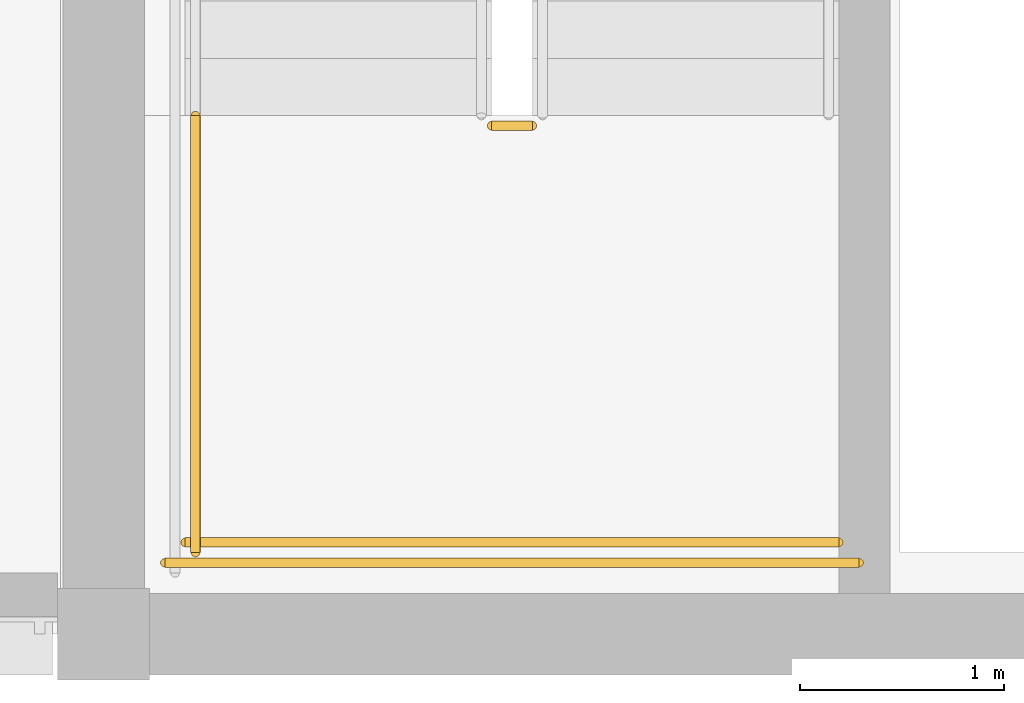
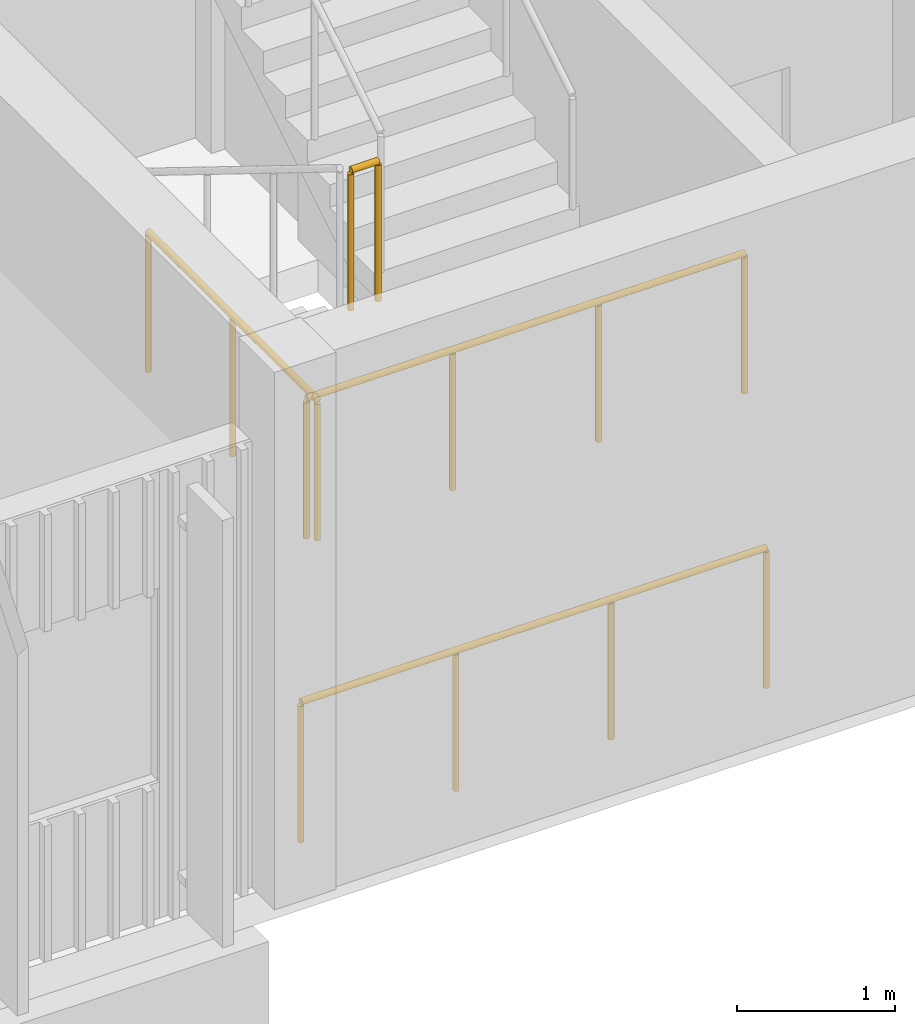
# One storey, part 71 of 88: 4 railings.
"""IFC4 building model written with IfcOpenShell, lengths in metres."""

from ifc_helpers import new_model, si_unit, direction, frame, origin, origin_2d, place, context, subcontext, project, spatial, circle, extrude, material, type_object, element, save


model = new_model("IFC4")

# Units and contexts
model_context = context("Model", 3, precision=1e-05, world=origin(), true_north=direction((0.0, 1.0)))
body_context = subcontext(model_context, "Body", "Model", "MODEL_VIEW")
ifc_project = project(units=[si_unit("LENGTHUNIT", "METRE"), si_unit("AREAUNIT", "SQUARE_METRE"), si_unit("VOLUMEUNIT", "CUBIC_METRE"), si_unit("PLANEANGLEUNIT", "RADIAN"), si_unit("MASSUNIT", "GRAM", prefix="KILO")], contexts=[model_context])

# Site, building, storey
site_placement = place(None, origin())
site = spatial("IfcSite", under=ifc_project, at=site_placement, CompositionType="ELEMENT")
building_placement = place(site_placement, origin())
building = spatial("IfcBuilding", under=site, at=building_placement, Name="Merrow Basin Faculty of Sciences", CompositionType="ELEMENT")
storey_placement = place(building_placement, frame((0.0, 0.0, 9.0)))
storey = spatial("IfcBuildingStorey", under=building, at=storey_placement, Name="L02", CompositionType="ELEMENT", Elevation=9.0)

# Railings
ifc_material = material(Name="Steel ASTM A36", Category="steel")
railing_type = type_object("IfcRailingType", Name="Steel guard 1100", PredefinedType="GUARDRAIL", material=ifc_material)
railing_1_placement = place(storey_placement, frame((64.89990234375, 63.489990234375, 2.25)))
element("IfcRailing", 1, at=railing_1_placement, inside=storey, type_object=railing_type, Name="L02 ST-V2-S stair guard 2", PredefinedType="GUARDRAIL", context=body_context, shape_type="SweptSolid", body=[
    extrude(circle(Radius=0.02392578125, at=origin_2d()), frame((0.0, 0.0, 1.076171875), z_axis=(1.0, 0.0, 0.0), x_axis=(0.0, 1.0, 0.0)), (0.0, 0.0, 1.0), 0.2001953125),
    extrude(circle(Radius=0.02099609375, at=origin_2d()), origin(), (0.0, 0.0, 1.0), 1.052001953125),
    extrude(circle(Radius=0.02099609375, at=origin_2d()), frame((0.2001953125, 0.0, 0.0)), (0.0, 0.0, 1.0), 1.052001953125),
])
railing_2_placement = place(storey_placement, frame((63.449951171875, 63.5400390625, 2.25)))
element("IfcRailing", 2, at=railing_2_placement, inside=storey, type_object=railing_type, Name="L02 ST-V2-S stair guard 3", PredefinedType="GUARDRAIL", context=body_context, shape_type="SweptSolid", body=[
    extrude(circle(Radius=0.02392578125, at=origin_2d()), frame((0.0, 0.0, 1.076171875), z_axis=(0.0, -1.0, 0.0), x_axis=(1.0, 0.0, 0.0)), (0.0, 0.0, 1.0), 2.14013671875),
    extrude(circle(Radius=0.02099609375, at=origin_2d()), origin(), (0.0, 0.0, 1.0), 1.052001953125),
    extrude(circle(Radius=0.02099609375, at=origin_2d()), frame((0.0, -1.070068359375, 0.0)), (0.0, 0.0, 1.0), 1.052001953125),
    extrude(circle(Radius=0.02099609375, at=origin_2d()), frame((0.0, -2.14013671875, 0.0)), (0.0, 0.0, 1.0), 1.052001953125),
])
railing_3_placement = place(storey_placement, frame((63.39990234375, 61.449951171875, 2.25)))
element("IfcRailing", 3, at=railing_3_placement, inside=storey, type_object=railing_type, Name="L02 ST-V2-S stair guard 4", PredefinedType="GUARDRAIL", context=body_context, shape_type="SweptSolid", body=[
    extrude(circle(Radius=0.02392578125, at=origin_2d()), frame((0.0, 0.0, 1.076171875), z_axis=(1.0, 0.0, 0.0), x_axis=(0.0, 1.0, 0.0)), (0.0, 0.0, 1.0), 3.2001953125),
    extrude(circle(Radius=0.02099609375, at=origin_2d()), origin(), (0.0, 0.0, 1.0), 1.052001953125),
    extrude(circle(Radius=0.02099609375, at=origin_2d()), frame((1.066650390625, 0.0, 0.0)), (0.0, 0.0, 1.0), 1.052001953125),
    extrude(circle(Radius=0.02099609375, at=origin_2d()), frame((2.133544921875, 0.0, 0.0)), (0.0, 0.0, 1.0), 1.052001953125),
    extrude(circle(Radius=0.02099609375, at=origin_2d()), frame((3.2001953125, 0.0, 0.0)), (0.0, 0.0, 1.0), 1.052001953125),
])
railing_4_placement = place(storey_placement, frame((63.300048828125, 61.35009765625, 0.0)))
element("IfcRailing", 4, at=railing_4_placement, inside=storey, type_object=railing_type, Name="L02 ST-V2-S stair guard 9", PredefinedType="GUARDRAIL", context=body_context, shape_type="SweptSolid", body=[
    extrude(circle(Radius=0.02392578125, at=origin_2d()), frame((0.0, 0.0, 1.076171875), z_axis=(1.0, 0.0, 0.0), x_axis=(0.0, 1.0, 0.0)), (0.0, 0.0, 1.0), 3.39990234375),
    extrude(circle(Radius=0.02099609375, at=origin_2d()), origin(), (0.0, 0.0, 1.0), 1.052001953125),
    extrude(circle(Radius=0.02099609375, at=origin_2d()), frame((1.13330078125, 0.0, 0.0)), (0.0, 0.0, 1.0), 1.052001953125),
    extrude(circle(Radius=0.02099609375, at=origin_2d()), frame((2.2666015625, 0.0, 0.0)), (0.0, 0.0, 1.0), 1.052001953125),
    extrude(circle(Radius=0.02099609375, at=origin_2d()), frame((3.39990234375, 0.0, 0.0)), (0.0, 0.0, 1.0), 1.052001953125),
])

save(model, "model.ifc")
